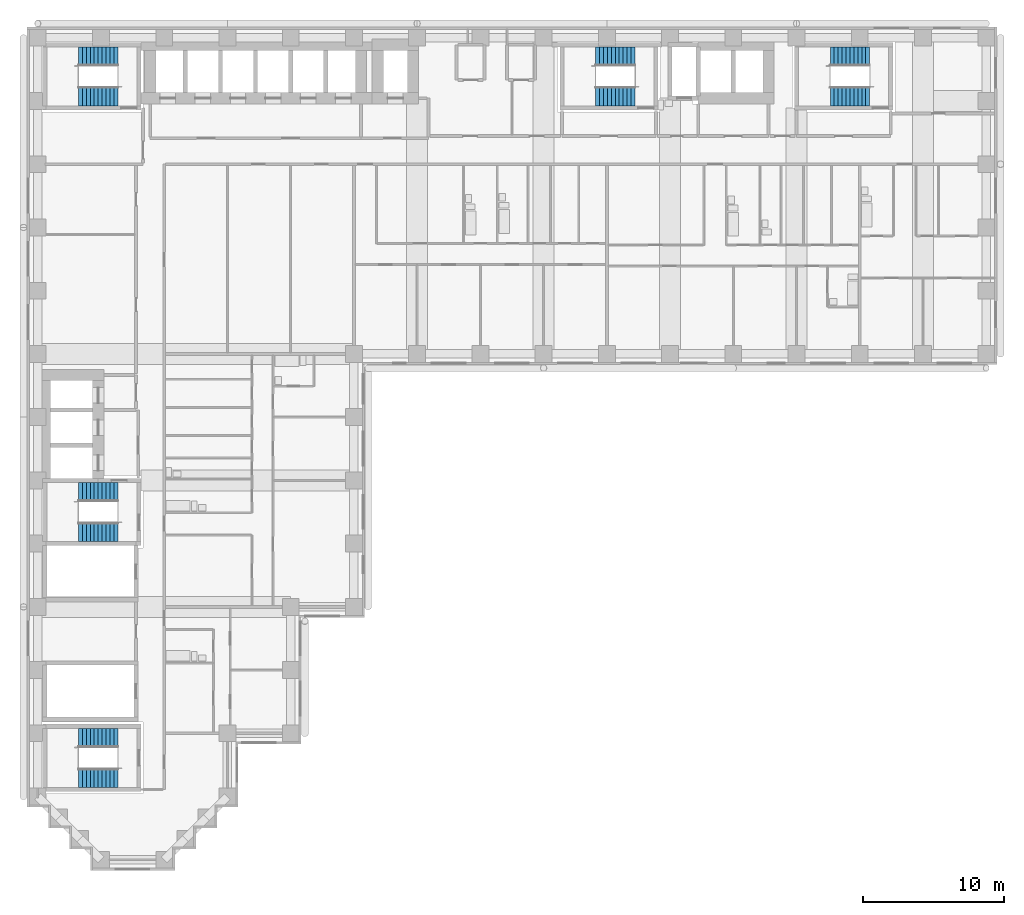
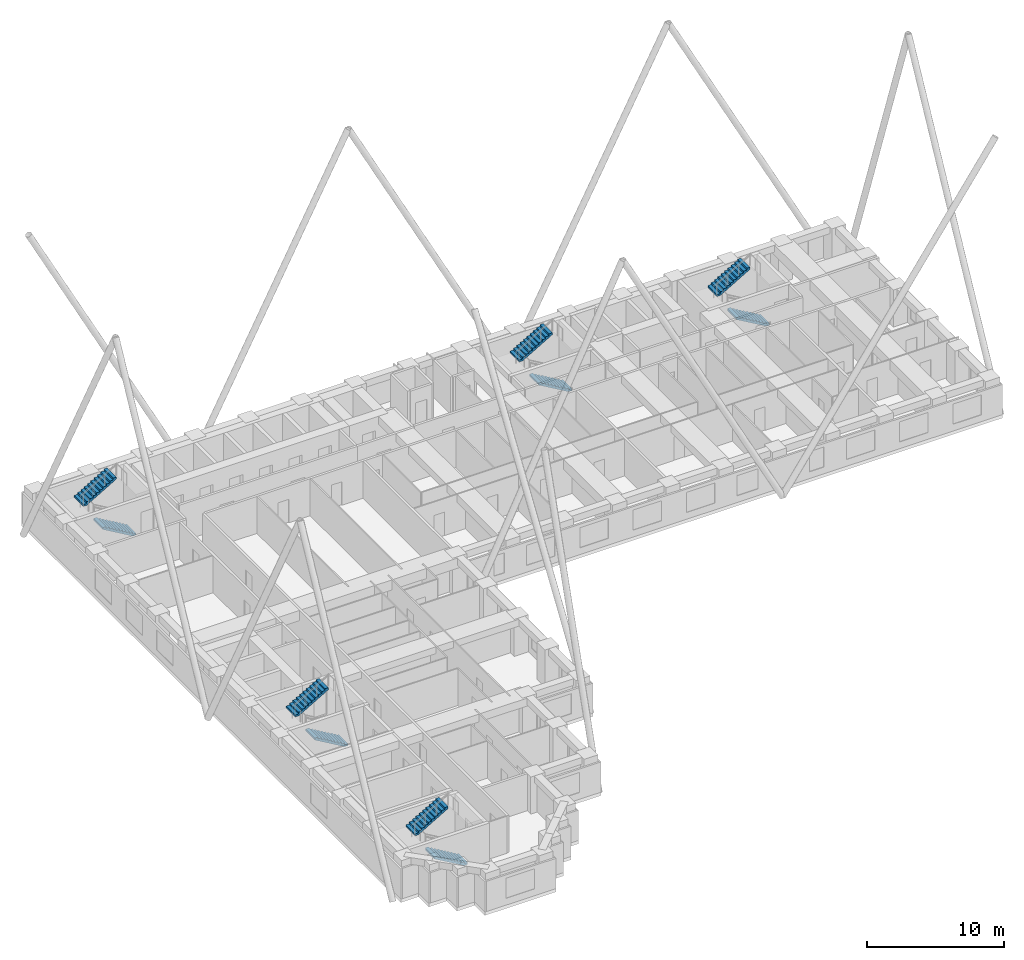
# One storey, part 10 of 12: 10 stair flights, 5 elements without a shape of their own.
"""IFC4 building model written with IfcOpenShell, lengths in metres."""

from ifc_helpers import new_model, si_unit, direction, frame, origin, place, context, subcontext, project, spatial, polyline, outline, extrude, material, type_object, element, aggregate, save


model = new_model("IFC4")

# Units and contexts
model_context = context("Model", 3, precision=1e-05, world=origin(), true_north=direction((0.0, 1.0)))
body_context = subcontext(model_context, "Body", "Model", "MODEL_VIEW")
ifc_project = project(units=[si_unit("LENGTHUNIT", "METRE"), si_unit("AREAUNIT", "SQUARE_METRE"), si_unit("VOLUMEUNIT", "CUBIC_METRE"), si_unit("PLANEANGLEUNIT", "RADIAN"), si_unit("MASSUNIT", "GRAM", prefix="KILO")], contexts=[model_context])

# Site, building, storey
site_placement = place(None, origin())
site = spatial("IfcSite", under=ifc_project, at=site_placement, CompositionType="ELEMENT")
building_placement = place(site_placement, origin())
building = spatial("IfcBuilding", under=site, at=building_placement, Name="Firuza Court", CompositionType="ELEMENT")
storey_placement = place(building_placement, frame((0.0, 0.0, 93.800048828125)))
storey = spatial("IfcBuildingStorey", under=building, at=storey_placement, Name="L23", CompositionType="ELEMENT", Elevation=93.800048828125)

# Stair, stair flights
ifc_material_1 = material(Name="Concrete C40/50 precast", Category="concrete")
stair_type = type_object("IfcStairType", Name="Stair 1350 x 3600 2 flights", PredefinedType="HALF_TURN_STAIR", material=ifc_material_1)
stair_1_placement = place(storey_placement, origin())
stair_1 = element("IfcStair", 1, at=stair_1_placement, inside=storey, type_object=stair_type, Name="Stair 1 L23", PredefinedType="HALF_TURN_STAIR")
ifc_material_2 = material(Name="Concrete C40/50 precast", Category="concrete")
stair_flight_type = type_object("IfcStairFlightType", Name="Flight 1350 riser 163.6", PredefinedType="STRAIGHT", material=ifc_material_2)
stair_flight_1_placement = place(storey_placement, frame((42.5, 54.324951171875, 0.0), z_axis=(0.0, 0.0, 1.0), x_axis=(-1.0, 0.0, 0.0)))
stair_flight_1 = element("IfcStairFlight", 2, at=stair_flight_1_placement, type_object=stair_flight_type, Name="S1 flight 1", NumberOfRisers=11, NumberOfTreads=10, PredefinedType="STRAIGHT", RiserHeight=0.163636364, TreadLength=0.28, context=body_context, shape_type="SweptSolid", body=[
    extrude(outline(polyline([(0.0, 0.0), (0.0, 0.16357421875), (0.280029296875, 0.16357421875), (0.280029296875, 0.327392578125), (0.56005859375, 0.327392578125), (0.56005859375, 0.490966796875), (0.840087890625, 0.490966796875), (0.840087890625, 0.654541015625), (1.1201171875, 0.654541015625), (1.1201171875, 0.818115234375), (1.39990234375, 0.818115234375), (1.39990234375, 0.98193359375), (1.679931640625, 0.98193359375), (1.679931640625, 1.1455078125), (1.9599609375, 1.1455078125), (1.9599609375, 1.30908203125), (2.239990234375, 1.30908203125), (2.239990234375, 1.47265625), (2.52001953125, 1.47265625), (2.52001953125, 1.636474609375), (2.800048828125, 1.636474609375), (2.800048828125, 1.800048828125), (2.800048828125, 1.462646484375), (0.297119140625, 0.0), (0.0, 0.0)])), frame((0.0, 0.675048828125, 0.0), z_axis=(0.0, -1.0, 0.0), x_axis=(1.0, 0.0, 0.0)), (0.0, 0.0, 1.0), 1.35009765625),
])
stair_flight_2_placement = place(storey_placement, frame((39.699951171875, 57.175048828125, 1.800048828125), z_axis=(0.0, 0.0, 1.0), x_axis=(1.0, 0.0, 0.0)))
stair_flight_2 = element("IfcStairFlight", 3, at=stair_flight_2_placement, type_object=stair_flight_type, Name="S1 flight 2", NumberOfRisers=11, NumberOfTreads=10, PredefinedType="STRAIGHT", RiserHeight=0.163636364, TreadLength=0.28, context=body_context, shape_type="SweptSolid", body=[
    extrude(outline(polyline([(0.0, 0.0), (0.0, 0.16357421875), (0.280029296875, 0.16357421875), (0.280029296875, 0.327392578125), (0.56005859375, 0.327392578125), (0.56005859375, 0.490966796875), (0.840087890625, 0.490966796875), (0.840087890625, 0.654541015625), (1.1201171875, 0.654541015625), (1.1201171875, 0.818115234375), (1.39990234375, 0.818115234375), (1.39990234375, 0.98193359375), (1.679931640625, 0.98193359375), (1.679931640625, 1.1455078125), (1.9599609375, 1.1455078125), (1.9599609375, 1.30908203125), (2.239990234375, 1.30908203125), (2.239990234375, 1.47265625), (2.52001953125, 1.47265625), (2.52001953125, 1.636474609375), (2.800048828125, 1.636474609375), (2.800048828125, 1.800048828125), (2.800048828125, 1.462646484375), (0.297119140625, 0.0), (0.0, 0.0)])), frame((0.0, 0.675048828125, 0.0), z_axis=(0.0, -1.0, 0.0), x_axis=(1.0, 0.0, 0.0)), (0.0, 0.0, 1.0), 1.35009765625),
])
aggregate(stair_1, [stair_flight_1, stair_flight_2])

stair_2_placement = place(storey_placement, origin())
stair_2 = element("IfcStair", 4, at=stair_2_placement, inside=storey, type_object=stair_type, Name="Stair 2 L23", PredefinedType="HALF_TURN_STAIR")
stair_flight_3_placement = place(storey_placement, frame((5.699951171875, 23.324951171875, 0.0), z_axis=(0.0, 0.0, 1.0), x_axis=(-1.0, 0.0, 0.0)))
stair_flight_3 = element("IfcStairFlight", 5, at=stair_flight_3_placement, type_object=stair_flight_type, Name="S2 flight 1", NumberOfRisers=11, NumberOfTreads=10, PredefinedType="STRAIGHT", RiserHeight=0.163636364, TreadLength=0.28, context=body_context, shape_type="SweptSolid", body=[
    extrude(outline(polyline([(0.0, 0.0), (0.0, 0.16357421875), (0.280029296875, 0.16357421875), (0.280029296875, 0.327392578125), (0.56005859375, 0.327392578125), (0.56005859375, 0.490966796875), (0.840087890625, 0.490966796875), (0.840087890625, 0.654541015625), (1.1201171875, 0.654541015625), (1.1201171875, 0.818115234375), (1.39990234375, 0.818115234375), (1.39990234375, 0.98193359375), (1.679931640625, 0.98193359375), (1.679931640625, 1.1455078125), (1.9599609375, 1.1455078125), (1.9599609375, 1.30908203125), (2.239990234375, 1.30908203125), (2.239990234375, 1.47265625), (2.52001953125, 1.47265625), (2.52001953125, 1.636474609375), (2.800048828125, 1.636474609375), (2.800048828125, 1.800048828125), (2.800048828125, 1.462646484375), (0.297119140625, 0.0), (0.0, 0.0)])), frame((0.0, 0.675048828125, 0.0), z_axis=(0.0, -1.0, 0.0), x_axis=(1.0, 0.0, 0.0)), (0.0, 0.0, 1.0), 1.35009765625),
])
stair_flight_4_placement = place(storey_placement, frame((2.89990234375, 26.175048828125, 1.800048828125), z_axis=(0.0, 0.0, 1.0), x_axis=(1.0, 0.0, 0.0)))
stair_flight_4 = element("IfcStairFlight", 6, at=stair_flight_4_placement, type_object=stair_flight_type, Name="S2 flight 2", NumberOfRisers=11, NumberOfTreads=10, PredefinedType="STRAIGHT", RiserHeight=0.163636364, TreadLength=0.28, context=body_context, shape_type="SweptSolid", body=[
    extrude(outline(polyline([(0.0, 0.0), (0.0, 0.16357421875), (0.280029296875, 0.16357421875), (0.280029296875, 0.327392578125), (0.56005859375, 0.327392578125), (0.56005859375, 0.490966796875), (0.840087890625, 0.490966796875), (0.840087890625, 0.654541015625), (1.1201171875, 0.654541015625), (1.1201171875, 0.818115234375), (1.39990234375, 0.818115234375), (1.39990234375, 0.98193359375), (1.679931640625, 0.98193359375), (1.679931640625, 1.1455078125), (1.9599609375, 1.1455078125), (1.9599609375, 1.30908203125), (2.239990234375, 1.30908203125), (2.239990234375, 1.47265625), (2.52001953125, 1.47265625), (2.52001953125, 1.636474609375), (2.800048828125, 1.636474609375), (2.800048828125, 1.800048828125), (2.800048828125, 1.462646484375), (0.297119140625, 0.0), (0.0, 0.0)])), frame((0.0, 0.675048828125, 0.0), z_axis=(0.0, -1.0, 0.0), x_axis=(1.0, 0.0, 0.0)), (0.0, 0.0, 1.0), 1.35009765625),
])
aggregate(stair_2, [stair_flight_3, stair_flight_4])

stair_3_placement = place(storey_placement, origin())
stair_3 = element("IfcStair", 7, at=stair_3_placement, inside=storey, type_object=stair_type, Name="Stair 3 L23", PredefinedType="HALF_TURN_STAIR")
stair_flight_5_placement = place(storey_placement, frame((5.699951171875, 54.324951171875, 0.0), z_axis=(0.0, 0.0, 1.0), x_axis=(-1.0, 0.0, 0.0)))
stair_flight_5 = element("IfcStairFlight", 8, at=stair_flight_5_placement, type_object=stair_flight_type, Name="S3 flight 1", NumberOfRisers=11, NumberOfTreads=10, PredefinedType="STRAIGHT", RiserHeight=0.163636364, TreadLength=0.28, context=body_context, shape_type="SweptSolid", body=[
    extrude(outline(polyline([(0.0, 0.0), (0.0, 0.16357421875), (0.280029296875, 0.16357421875), (0.280029296875, 0.327392578125), (0.56005859375, 0.327392578125), (0.56005859375, 0.490966796875), (0.840087890625, 0.490966796875), (0.840087890625, 0.654541015625), (1.1201171875, 0.654541015625), (1.1201171875, 0.818115234375), (1.39990234375, 0.818115234375), (1.39990234375, 0.98193359375), (1.679931640625, 0.98193359375), (1.679931640625, 1.1455078125), (1.9599609375, 1.1455078125), (1.9599609375, 1.30908203125), (2.239990234375, 1.30908203125), (2.239990234375, 1.47265625), (2.52001953125, 1.47265625), (2.52001953125, 1.636474609375), (2.800048828125, 1.636474609375), (2.800048828125, 1.800048828125), (2.800048828125, 1.462646484375), (0.297119140625, 0.0), (0.0, 0.0)])), frame((0.0, 0.675048828125, 0.0), z_axis=(0.0, -1.0, 0.0), x_axis=(1.0, 0.0, 0.0)), (0.0, 0.0, 1.0), 1.35009765625),
])
stair_flight_6_placement = place(storey_placement, frame((2.89990234375, 57.175048828125, 1.800048828125), z_axis=(0.0, 0.0, 1.0), x_axis=(1.0, 0.0, 0.0)))
stair_flight_6 = element("IfcStairFlight", 9, at=stair_flight_6_placement, type_object=stair_flight_type, Name="S3 flight 2", NumberOfRisers=11, NumberOfTreads=10, PredefinedType="STRAIGHT", RiserHeight=0.163636364, TreadLength=0.28, context=body_context, shape_type="SweptSolid", body=[
    extrude(outline(polyline([(0.0, 0.0), (0.0, 0.16357421875), (0.280029296875, 0.16357421875), (0.280029296875, 0.327392578125), (0.56005859375, 0.327392578125), (0.56005859375, 0.490966796875), (0.840087890625, 0.490966796875), (0.840087890625, 0.654541015625), (1.1201171875, 0.654541015625), (1.1201171875, 0.818115234375), (1.39990234375, 0.818115234375), (1.39990234375, 0.98193359375), (1.679931640625, 0.98193359375), (1.679931640625, 1.1455078125), (1.9599609375, 1.1455078125), (1.9599609375, 1.30908203125), (2.239990234375, 1.30908203125), (2.239990234375, 1.47265625), (2.52001953125, 1.47265625), (2.52001953125, 1.636474609375), (2.800048828125, 1.636474609375), (2.800048828125, 1.800048828125), (2.800048828125, 1.462646484375), (0.297119140625, 0.0), (0.0, 0.0)])), frame((0.0, 0.675048828125, 0.0), z_axis=(0.0, -1.0, 0.0), x_axis=(1.0, 0.0, 0.0)), (0.0, 0.0, 1.0), 1.35009765625),
])
aggregate(stair_3, [stair_flight_5, stair_flight_6])

stair_4_placement = place(storey_placement, origin())
stair_4 = element("IfcStair", 10, at=stair_4_placement, inside=storey, type_object=stair_type, Name="Stair 4 L23", PredefinedType="HALF_TURN_STAIR")
stair_flight_7_placement = place(storey_placement, frame((59.199951171875, 54.324951171875, 0.0), z_axis=(0.0, 0.0, 1.0), x_axis=(-1.0, 0.0, 0.0)))
stair_flight_7 = element("IfcStairFlight", 11, at=stair_flight_7_placement, type_object=stair_flight_type, Name="S4 flight 1", NumberOfRisers=11, NumberOfTreads=10, PredefinedType="STRAIGHT", RiserHeight=0.163636364, TreadLength=0.28, context=body_context, shape_type="SweptSolid", body=[
    extrude(outline(polyline([(0.0, 0.0), (0.0, 0.16357421875), (0.280029296875, 0.16357421875), (0.280029296875, 0.327392578125), (0.56005859375, 0.327392578125), (0.56005859375, 0.490966796875), (0.840087890625, 0.490966796875), (0.840087890625, 0.654541015625), (1.1201171875, 0.654541015625), (1.1201171875, 0.818115234375), (1.39990234375, 0.818115234375), (1.39990234375, 0.98193359375), (1.679931640625, 0.98193359375), (1.679931640625, 1.1455078125), (1.9599609375, 1.1455078125), (1.9599609375, 1.30908203125), (2.239990234375, 1.30908203125), (2.239990234375, 1.47265625), (2.52001953125, 1.47265625), (2.52001953125, 1.636474609375), (2.800048828125, 1.636474609375), (2.800048828125, 1.800048828125), (2.800048828125, 1.462646484375), (0.297119140625, 0.0), (0.0, 0.0)])), frame((0.0, 0.675048828125, 0.0), z_axis=(0.0, -1.0, 0.0), x_axis=(1.0, 0.0, 0.0)), (0.0, 0.0, 1.0), 1.35009765625),
])
stair_flight_8_placement = place(storey_placement, frame((56.39990234375, 57.175048828125, 1.800048828125), z_axis=(0.0, 0.0, 1.0), x_axis=(1.0, 0.0, 0.0)))
stair_flight_8 = element("IfcStairFlight", 12, at=stair_flight_8_placement, type_object=stair_flight_type, Name="S4 flight 2", NumberOfRisers=11, NumberOfTreads=10, PredefinedType="STRAIGHT", RiserHeight=0.163636364, TreadLength=0.28, context=body_context, shape_type="SweptSolid", body=[
    extrude(outline(polyline([(0.0, 0.0), (0.0, 0.16357421875), (0.280029296875, 0.16357421875), (0.280029296875, 0.327392578125), (0.56005859375, 0.327392578125), (0.56005859375, 0.490966796875), (0.840087890625, 0.490966796875), (0.840087890625, 0.654541015625), (1.1201171875, 0.654541015625), (1.1201171875, 0.818115234375), (1.39990234375, 0.818115234375), (1.39990234375, 0.98193359375), (1.679931640625, 0.98193359375), (1.679931640625, 1.1455078125), (1.9599609375, 1.1455078125), (1.9599609375, 1.30908203125), (2.239990234375, 1.30908203125), (2.239990234375, 1.47265625), (2.52001953125, 1.47265625), (2.52001953125, 1.636474609375), (2.800048828125, 1.636474609375), (2.800048828125, 1.800048828125), (2.800048828125, 1.462646484375), (0.297119140625, 0.0), (0.0, 0.0)])), frame((0.0, 0.675048828125, 0.0), z_axis=(0.0, -1.0, 0.0), x_axis=(1.0, 0.0, 0.0)), (0.0, 0.0, 1.0), 1.35009765625),
])
aggregate(stair_4, [stair_flight_7, stair_flight_8])

stair_5_placement = place(storey_placement, origin())
stair_5 = element("IfcStair", 13, at=stair_5_placement, inside=storey, type_object=stair_type, Name="Stair 5 L23", PredefinedType="HALF_TURN_STAIR")
stair_flight_9_placement = place(storey_placement, frame((5.699951171875, 5.824951171875, 0.0), z_axis=(0.0, 0.0, 1.0), x_axis=(-1.0, 0.0, 0.0)))
stair_flight_9 = element("IfcStairFlight", 14, at=stair_flight_9_placement, type_object=stair_flight_type, Name="S5 flight 1", NumberOfRisers=11, NumberOfTreads=10, PredefinedType="STRAIGHT", RiserHeight=0.163636364, TreadLength=0.28, context=body_context, shape_type="SweptSolid", body=[
    extrude(outline(polyline([(0.0, 0.0), (0.0, 0.16357421875), (0.280029296875, 0.16357421875), (0.280029296875, 0.327392578125), (0.56005859375, 0.327392578125), (0.56005859375, 0.490966796875), (0.840087890625, 0.490966796875), (0.840087890625, 0.654541015625), (1.1201171875, 0.654541015625), (1.1201171875, 0.818115234375), (1.39990234375, 0.818115234375), (1.39990234375, 0.98193359375), (1.679931640625, 0.98193359375), (1.679931640625, 1.1455078125), (1.9599609375, 1.1455078125), (1.9599609375, 1.30908203125), (2.239990234375, 1.30908203125), (2.239990234375, 1.47265625), (2.52001953125, 1.47265625), (2.52001953125, 1.636474609375), (2.800048828125, 1.636474609375), (2.800048828125, 1.800048828125), (2.800048828125, 1.462646484375), (0.297119140625, 0.0), (0.0, 0.0)])), frame((0.0, 0.675048828125, 0.0), z_axis=(0.0, -1.0, 0.0), x_axis=(1.0, 0.0, 0.0)), (0.0, 0.0, 1.0), 1.35009765625),
])
stair_flight_10_placement = place(storey_placement, frame((2.89990234375, 8.675048828125, 1.800048828125), z_axis=(0.0, 0.0, 1.0), x_axis=(1.0, 0.0, 0.0)))
stair_flight_10 = element("IfcStairFlight", 15, at=stair_flight_10_placement, type_object=stair_flight_type, Name="S5 flight 2", NumberOfRisers=11, NumberOfTreads=10, PredefinedType="STRAIGHT", RiserHeight=0.163636364, TreadLength=0.28, context=body_context, shape_type="SweptSolid", body=[
    extrude(outline(polyline([(0.0, 0.0), (0.0, 0.16357421875), (0.280029296875, 0.16357421875), (0.280029296875, 0.327392578125), (0.56005859375, 0.327392578125), (0.56005859375, 0.490966796875), (0.840087890625, 0.490966796875), (0.840087890625, 0.654541015625), (1.1201171875, 0.654541015625), (1.1201171875, 0.818115234375), (1.39990234375, 0.818115234375), (1.39990234375, 0.98193359375), (1.679931640625, 0.98193359375), (1.679931640625, 1.1455078125), (1.9599609375, 1.1455078125), (1.9599609375, 1.30908203125), (2.239990234375, 1.30908203125), (2.239990234375, 1.47265625), (2.52001953125, 1.47265625), (2.52001953125, 1.636474609375), (2.800048828125, 1.636474609375), (2.800048828125, 1.800048828125), (2.800048828125, 1.462646484375), (0.297119140625, 0.0), (0.0, 0.0)])), frame((0.0, 0.675048828125, 0.0), z_axis=(0.0, -1.0, 0.0), x_axis=(1.0, 0.0, 0.0)), (0.0, 0.0, 1.0), 1.35009765625),
])
aggregate(stair_5, [stair_flight_9, stair_flight_10])

save(model, "model.ifc")
